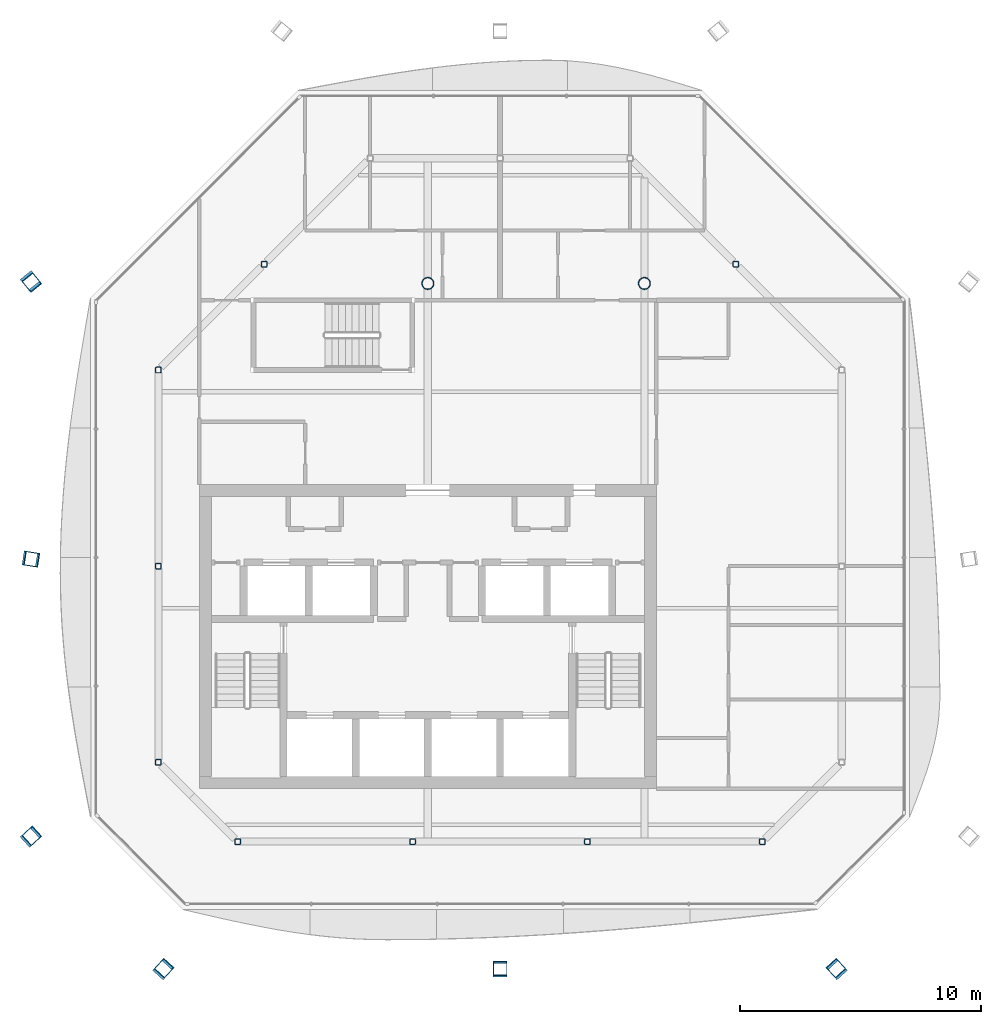
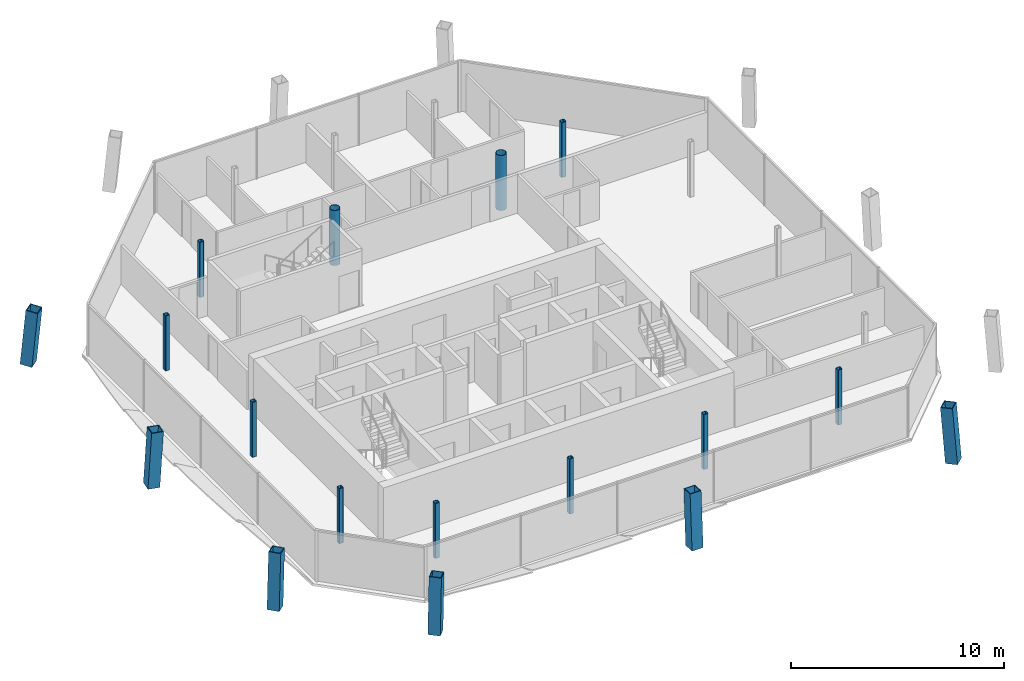
# One storey, part 1 of 16: 17 columns.
"""IFC4 building model written with IfcOpenShell, lengths in metres."""

from ifc_helpers import new_model, si_unit, direction, frame, origin, origin_2d, place, context, subcontext, project, spatial, hollow_rectangle, hollow_circle, extrude, material, material_profile, profile_set, type_object, element, save


model = new_model("IFC4")

# Units and contexts
model_context = context("Model", 3, precision=1e-05, world=origin(), true_north=direction((0.0, 1.0)))
body_context = subcontext(model_context, "Body", "Model", "MODEL_VIEW")
ifc_project = project(units=[si_unit("LENGTHUNIT", "METRE"), si_unit("AREAUNIT", "SQUARE_METRE"), si_unit("VOLUMEUNIT", "CUBIC_METRE"), si_unit("PLANEANGLEUNIT", "RADIAN"), si_unit("MASSUNIT", "GRAM", prefix="KILO")], contexts=[model_context])

# Site, building, storey
site_placement = place(None, origin())
site = spatial("IfcSite", under=ifc_project, at=site_placement, CompositionType="ELEMENT")
building_placement = place(site_placement, origin())
building = spatial("IfcBuilding", under=site, at=building_placement, Name="Tskaro Facet Tower", CompositionType="ELEMENT")
storey_placement = place(building_placement, frame((0.0, 0.0, 265.800048828125)))
storey = spatial("IfcBuildingStorey", under=building, at=storey_placement, Name="L70", CompositionType="ELEMENT", Elevation=265.800048828125)

# Columns
ifc_material_1 = material(Name="Steel S355J2", Category="steel")
ifc_material_profile_1 = material_profile(ifc_material_1, hollow_rectangle(XDim=0.60009765625, YDim=0.60009765625, WallThickness=0.0400390625, at=origin_2d()), Name="BOX 600x600x40")
ifc_profile_set_1 = profile_set([ifc_material_profile_1], Name="Steel S355J2")
column_type_1 = type_object("IfcColumnType", Name="BOX 600x600x40 mega column", PredefinedType="COLUMN", material=ifc_profile_set_1)
column_1_placement = place(storey_placement, frame((-11.02197265625, -19.528076171875, 0.0), z_axis=(0.052851719252, 0.057951446548, 0.996919417814), x_axis=(-0.738869281565, 0.673848784787, 0.0)))
element("IfcColumn", 1, at=column_1_placement, inside=storey, type_object=column_type_1, Name="BOX 600x600x40 MC01/6", PredefinedType="COLUMN", context=body_context, shape_type="SweptSolid", body=[
    extrude(hollow_rectangle(XDim=0.60009765625, YDim=0.60009765625, WallThickness=0.0400390625, at=origin_2d()), origin(), (0.0, 0.0, 1.0), 3.15966796875),
])
column_2_placement = place(storey_placement, frame((3.0, -19.528076171875, 0.0), z_axis=(0.0, 0.058032554517, 0.998314691175), x_axis=(-1.0, 0.0, 0.0)))
element("IfcColumn", 2, at=column_2_placement, inside=storey, type_object=column_type_1, Name="BOX 600x600x40 MC02/6", PredefinedType="COLUMN", context=body_context, shape_type="SweptSolid", body=[
    extrude(hollow_rectangle(XDim=0.60009765625, YDim=0.60009765625, WallThickness=0.0400390625, at=origin_2d()), origin(), (0.0, 0.0, 1.0), 3.1552734375),
])
column_3_placement = place(storey_placement, frame((17.02197265625, -19.528076171875, 0.0), z_axis=(-0.052851719252, 0.057951446548, 0.996919417814), x_axis=(-0.738869281565, -0.673848784787, 0.0)))
element("IfcColumn", 3, at=column_3_placement, inside=storey, type_object=column_type_1, Name="BOX 600x600x40 MC03/6", PredefinedType="COLUMN", context=body_context, shape_type="SweptSolid", body=[
    extrude(hollow_rectangle(XDim=0.60009765625, YDim=0.60009765625, WallThickness=0.0400390625, at=origin_2d()), origin(), (0.0, 0.0, 1.0), 3.15966796875),
])
column_4_placement = place(storey_placement, frame((-16.528076171875, 9.118896484375, 0.0), z_axis=(0.05788447966, -0.071390858248, 0.995767408772), x_axis=(0.77675574872, 0.629801958421, 0.0)))
element("IfcColumn", 4, at=column_4_placement, inside=storey, type_object=column_type_1, Name="BOX 600x600x40 MC10/6", PredefinedType="COLUMN", context=body_context, shape_type="SweptSolid", body=[
    extrude(hollow_rectangle(XDim=0.60009765625, YDim=0.60009765625, WallThickness=0.0400390625, at=origin_2d()), origin(), (0.0, 0.0, 1.0), 3.163330078125),
])
column_5_placement = place(storey_placement, frame((-16.528076171875, -2.451904296875, 0.0), z_axis=(0.058030094553, -0.009207441669, 0.998272373225), x_axis=(0.156706377373, 0.987645235543, 0.0)))
element("IfcColumn", 5, at=column_5_placement, inside=storey, type_object=column_type_1, Name="BOX 600x600x40 MC11/6", PredefinedType="COLUMN", context=body_context, shape_type="SweptSolid", body=[
    extrude(hollow_rectangle(XDim=0.60009765625, YDim=0.60009765625, WallThickness=0.0400390625, at=origin_2d()), origin(), (0.0, 0.0, 1.0), 3.1552734375),
])
column_6_placement = place(storey_placement, frame((-16.528076171875, -14.02197265625, 0.0), z_axis=(0.057951446548, 0.052851719252, 0.996919417814), x_axis=(-0.673848784787, 0.738869281565, 0.0)))
element("IfcColumn", 6, at=column_6_placement, inside=storey, type_object=column_type_1, Name="BOX 600x600x40 MC12/6", PredefinedType="COLUMN", context=body_context, shape_type="SweptSolid", body=[
    extrude(hollow_rectangle(XDim=0.60009765625, YDim=0.60009765625, WallThickness=0.0400390625, at=origin_2d()), origin(), (0.0, 0.0, 1.0), 3.15966796875),
])
ifc_material_2 = material(Name="Steel S355J2H", Category="steel")
ifc_material_profile_2 = material_profile(ifc_material_2, hollow_circle(Radius=0.25390625, WallThickness=0.02490234375, at=origin_2d()), Name="CHS 508x25")
ifc_profile_set_2 = profile_set([ifc_material_profile_2], Name="Steel S355J2H")
column_type_2 = type_object("IfcColumnType", Name="CHS 508x25 interior column", PredefinedType="COLUMN", material=ifc_profile_set_2)
for number, where, z_axis, x_axis, name in (
    (7, (0.0, 9.0, 0.0), (0.0, 0.0, 1.0), (1.0, 0.0, 0.0), "CHS 508x25 C4E/6"),
    (8, (9.0, 9.0, 0.0), (0.0, 0.0, 1.0), (1.0, 0.0, 0.0), "CHS 508x25 C5E/6"),
):
    element("IfcColumn", number, at=place(storey_placement, frame(where, z_axis=z_axis, x_axis=x_axis)), inside=storey, type_object=column_type_2, Name=name, PredefinedType="COLUMN", context=body_context, shape_type="SweptSolid", body=[
        extrude(hollow_circle(Radius=0.25390625, WallThickness=0.02490234375, at=origin_2d()), origin(), (0.0, 0.0, 1.0), 3.14990234375),
    ])
ifc_material_profile_3 = material_profile(ifc_material_2, hollow_rectangle(XDim=0.25, YDim=0.25, WallThickness=0.02001953125, InnerFilletRadius=0.030029296875, OuterFilletRadius=0.050048828125, at=origin_2d()), Name="SHS 250x250x20")
ifc_profile_set_3 = profile_set([ifc_material_profile_3], Name="Steel S355J2H")
column_type_3 = type_object("IfcColumnType", Name="SHS 250x250x20 ring column", PredefinedType="COLUMN", material=ifc_profile_set_3)
for number, where, z_axis, x_axis, name in (
    (9, (-7.903076171875, -14.199951171875, 0.0), (0.0, 0.0, 1.0), (1.0, 0.0, 0.0), "SHS 250x250x20 RS-1/6"),
    (10, (-0.634033203125, -14.199951171875, 0.0), (0.0, 0.0, 1.0), (1.0, 0.0, 0.0), "SHS 250x250x20 RS-2/6"),
    (11, (6.634033203125, -14.199951171875, 0.0), (0.0, 0.0, 1.0), (1.0, 0.0, 0.0), "SHS 250x250x20 RS-3/6"),
    (12, (13.903076171875, -14.199951171875, 0.0), (0.0, 0.0, 1.0), (1.0, 0.0, 0.0), "SHS 250x250x20 RSE-1/6"),
    (13, (12.802001953125, 9.802001953125, 0.0), (0.0, 0.0, 1.0), (1.0, 0.0, 0.0), "SHS 250x250x20 RNE-2/6"),
    (14, (-6.801025390625, 9.801025390625, 0.0), (0.0, 0.0, 1.0), (1.0, 0.0, 0.0), "SHS 250x250x20 RNW-2/6"),
    (15, (-11.199951171875, 5.403076171875, 0.0), (0.0, 0.0, 1.0), (1.0, 0.0, 0.0), "SHS 250x250x20 RW-1/6"),
    (16, (-11.199951171875, -2.75, 0.0), (0.0, 0.0, 1.0), (1.0, 0.0, 0.0), "SHS 250x250x20 RW-2/6"),
    (17, (-11.199951171875, -10.903076171875, 0.0), (0.0, 0.0, 1.0), (1.0, 0.0, 0.0), "SHS 250x250x20 RSW-1/6"),
):
    element("IfcColumn", number, at=place(storey_placement, frame(where, z_axis=z_axis, x_axis=x_axis)), inside=storey, type_object=column_type_3, Name=name, PredefinedType="COLUMN", context=body_context, shape_type="SweptSolid", body=[
        extrude(hollow_rectangle(XDim=0.25, YDim=0.25, WallThickness=0.02001953125, InnerFilletRadius=0.030029296875, OuterFilletRadius=0.050048828125, at=origin_2d()), origin(), (0.0, 0.0, 1.0), 3.14990234375),
    ])

save(model, "model.ifc")
